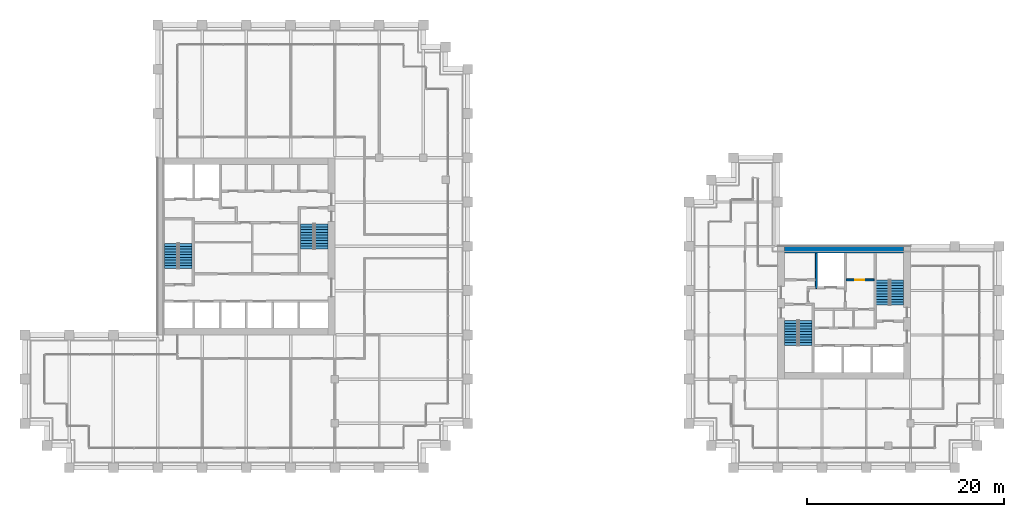
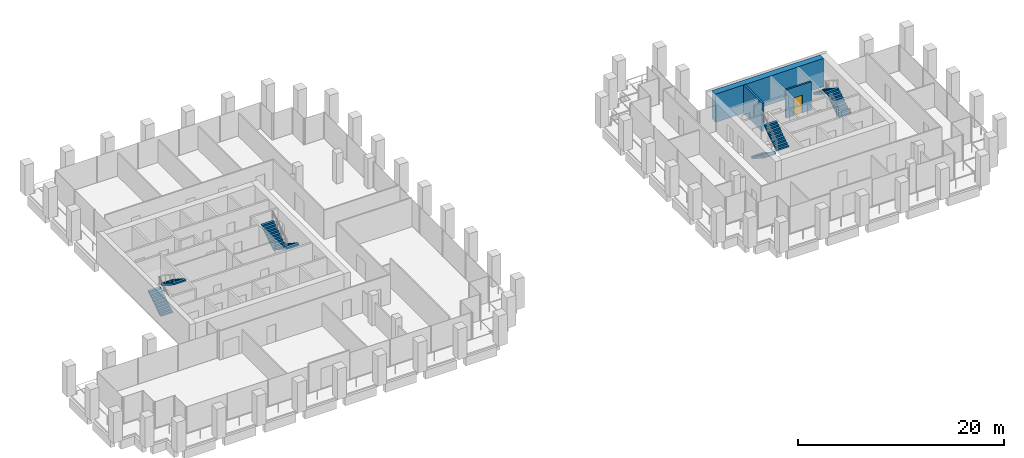
# One storey, part 44 of 46: 8 stair flights, 3 walls, 1 door, 1 opening, 4 elements without a shape of their own.
"""IFC4 building model written with IfcOpenShell, lengths in metres."""

from ifc_helpers import new_model, si_unit, direction, frame, frame_2d, origin, place, context, subcontext, project, spatial, polyline, rectangle, outline, extrude, material, layer, layer_set, type_object, element, fill, aggregate, save


model = new_model("IFC4")

# Units and contexts
model_context = context("Model", 3, precision=1e-05, world=origin(), true_north=direction((0.0, 1.0)))
body_context = subcontext(model_context, "Body", "Model", "MODEL_VIEW")
ifc_project = project(units=[si_unit("LENGTHUNIT", "METRE"), si_unit("AREAUNIT", "SQUARE_METRE"), si_unit("VOLUMEUNIT", "CUBIC_METRE"), si_unit("PLANEANGLEUNIT", "RADIAN"), si_unit("MASSUNIT", "GRAM", prefix="KILO")], contexts=[model_context])

# Site, building, storey
site_placement = place(None, origin())
site = spatial("IfcSite", under=ifc_project, at=site_placement, CompositionType="ELEMENT")
building_placement = place(site_placement, origin())
building = spatial("IfcBuilding", under=site, at=building_placement, Name="Altepetl Exchange Towers", CompositionType="ELEMENT")
storey_placement = place(building_placement, frame((0.0, 0.0, 120.800048828125)))
storey = spatial("IfcBuildingStorey", under=building, at=storey_placement, Name="L29", CompositionType="ELEMENT", Elevation=120.800048828125)

# Walls
ifc_material_1 = material(Name="Concrete C70/85", Category="concrete")
ifc_layer_1 = layer(ifc_material_1, 0.699951171875)
ifc_layer_set_1 = layer_set([ifc_layer_1], Name="Concrete C70/85")
wall_type_1 = type_object("IfcWallType", Name="Core wall 700 reinforced concrete external", PredefinedType="SHEAR", material=ifc_layer_set_1)
wall_1_placement = place(storey_placement, frame((104.199951171875, 49.14990234375, 0.0)))
element("IfcWall", 1, at=wall_1_placement, inside=storey, type_object=wall_type_1, Name="wall:B:L29:K-coreN", PredefinedType="SHEAR", context=body_context, shape_type="SweptSolid", body=[
    extrude(rectangle(XDim=12.10009765625, YDim=0.699951171875, at=frame_2d((6.050048828125, 0.0))), origin(), (0.0, 0.0, 1.0), 3.349853515625),
])
ifc_material_2 = material(Name="Concrete C40/50", Category="concrete")
ifc_layer_2 = layer(ifc_material_2, 0.199951171875)
ifc_layer_set_2 = layer_set([ifc_layer_2], Name="Concrete C40/50")
wall_type_2 = type_object("IfcWallType", Name="Shaft wall 200 reinforced concrete", PredefinedType="SHEAR", material=ifc_layer_set_2)
wall_2_placement = place(storey_placement, frame((107.433349609375, 48.800048828125, 0.0), z_axis=(0.0, 0.0, 1.0), x_axis=(0.0, -1.0, 0.0)))
element("IfcWall", 2, at=wall_2_placement, inside=storey, type_object=wall_type_2, Name="wall:B:L29:K-divN1", PredefinedType="SHEAR", context=body_context, shape_type="SweptSolid", body=[
    extrude(rectangle(XDim=3.60009765625, YDim=0.199951171875, at=frame_2d((1.800048828125, 0.0))), origin(), (0.0, 0.0, 1.0), 3.349853515625),
])

# Wall, opening, door
wall_3_placement = place(storey_placement, frame((110.466796875, 46.10009765625, 0.0)))
wall_3 = element("IfcWall", 3, at=wall_3_placement, inside=storey, type_object=wall_type_2, Name="wall:B:L29:K-frontNb", PredefinedType="SHEAR", context=body_context, shape_type="SweptSolid", body=[
    extrude(rectangle(XDim=2.833251953125, YDim=0.199951171875, at=frame_2d((1.41650390625, 0.0))), origin(), (0.0, 0.0, 1.0), 3.349853515625),
])
opening_placement = place(wall_3_placement, frame((0.91650390625, 0.0, 0.0)))
opening = element("IfcOpeningElement", 4, at=opening_placement, cuts=wall_3, Name="Opening L29.B69", PredefinedType="OPENING", context=body_context, shape_type="SweptSolid", body=[
    extrude(rectangle(XDim=0.89990234375, YDim=2.10009765625, at=frame_2d((0.449951171875, 1.050048828125))), frame((0.0, 0.10986328125, 0.0), z_axis=(0.0, -1.0, 0.0), x_axis=(1.0, 0.0, 0.0)), (0.0, 0.0, 1.0), 0.219970703125),
])
ifc_material_3 = material(Name="Steel and timber fire door", Category="steel")
door_type = type_object("IfcDoorType", Name="Fire door 900 x 2100 service room", OperationType="SINGLE_SWING_LEFT", PredefinedType="DOOR", material=ifc_material_3)
door_placement = place(opening_placement, origin())
door = element("IfcDoor", 5, at=door_placement, inside=storey, type_object=door_type, Name="door:B:L29:K-dslotN2", OperationType="SINGLE_SWING_RIGHT", OverallHeight=2.10009765625, OverallWidth=0.89990234375, PredefinedType="DOOR", context=body_context, shape_type="SweptSolid", body=[
    extrude(rectangle(XDim=0.89990234375, YDim=2.10009765625, at=frame_2d((0.449951171875, 1.050048828125))), frame((0.0, 0.02490234375, 0.0), z_axis=(0.0, -1.0, 0.0), x_axis=(1.0, 0.0, 0.0)), (0.0, 0.0, 1.0), 0.050048828125),
])
fill(opening, door)

# Stair, stair flights
stair_type = type_object("IfcStairType", Name="Exit stair 1350 flights dogleg", PredefinedType="HALF_TURN_STAIR", material=ifc_material_2)
stair_1_placement = place(storey_placement, origin())
stair_1 = element("IfcStair", 6, at=stair_1_placement, inside=storey, type_object=stair_type, Name="Exit stair 1", PredefinedType="HALF_TURN_STAIR")
stair_flight_type = type_object("IfcStairFlightType", Name="Stair flight 1350 wide", PredefinedType="STRAIGHT", material=ifc_material_2)
stair_flight_1_placement = place(storey_placement, frame((41.875, 47.25, 0.0), z_axis=(0.0, 0.0, 1.0), x_axis=(0.0, 1.0, 0.0)))
stair_flight_1 = element("IfcStairFlight", 7, at=stair_flight_1_placement, type_object=stair_flight_type, Name="ST-A1d flight 1", NumberOfRisers=10, NumberOfTreads=9, PredefinedType="STRAIGHT", RiserHeight=0.18, TreadLength=0.28, context=body_context, shape_type="SweptSolid", body=[
    extrude(outline(polyline([(0.0, 0.0), (0.0, 0.179931640625), (0.280029296875, 0.179931640625), (0.280029296875, 0.360107421875), (0.56005859375, 0.360107421875), (0.56005859375, 0.5400390625), (0.840087890625, 0.5400390625), (0.840087890625, 0.719970703125), (1.1201171875, 0.719970703125), (1.1201171875, 0.89990234375), (1.39990234375, 0.89990234375), (1.39990234375, 1.080078125), (1.679931640625, 1.080078125), (1.679931640625, 1.260009765625), (1.9599609375, 1.260009765625), (1.9599609375, 1.43994140625), (2.239990234375, 1.43994140625), (2.239990234375, 1.6201171875), (2.52001953125, 1.6201171875), (2.52001953125, 1.800048828125), (2.52001953125, 1.44189453125), (0.277099609375, 0.0), (0.0, 0.0)])), frame((0.0, 0.675048828125, 0.0), z_axis=(0.0, -1.0, 0.0), x_axis=(1.0, 0.0, 0.0)), (0.0, 0.0, 1.0), 1.35009765625),
])
stair_flight_2_placement = place(storey_placement, frame((43.324951171875, 49.77001953125, 1.800048828125), z_axis=(0.0, 0.0, 1.0), x_axis=(0.0, -1.0, 0.0)))
stair_flight_2 = element("IfcStairFlight", 8, at=stair_flight_2_placement, type_object=stair_flight_type, Name="ST-A1d flight 2", NumberOfRisers=10, NumberOfTreads=9, PredefinedType="STRAIGHT", RiserHeight=0.18, TreadLength=0.28, context=body_context, shape_type="SweptSolid", body=[
    extrude(outline(polyline([(0.0, 0.0), (0.0, 0.179931640625), (0.280029296875, 0.179931640625), (0.280029296875, 0.360107421875), (0.56005859375, 0.360107421875), (0.56005859375, 0.5400390625), (0.840087890625, 0.5400390625), (0.840087890625, 0.719970703125), (1.1201171875, 0.719970703125), (1.1201171875, 0.89990234375), (1.39990234375, 0.89990234375), (1.39990234375, 1.080078125), (1.679931640625, 1.080078125), (1.679931640625, 1.260009765625), (1.9599609375, 1.260009765625), (1.9599609375, 1.43994140625), (2.239990234375, 1.43994140625), (2.239990234375, 1.6201171875), (2.52001953125, 1.6201171875), (2.52001953125, 1.800048828125), (2.52001953125, 1.44189453125), (0.277099609375, 0.0), (0.0, 0.0)])), frame((0.0, 0.675048828125, 0.0), z_axis=(0.0, -1.0, 0.0), x_axis=(1.0, 0.0, 0.0)), (0.0, 0.0, 1.0), 1.35009765625),
])
aggregate(stair_1, [stair_flight_1, stair_flight_2])

stair_2_placement = place(storey_placement, origin())
stair_2 = element("IfcStair", 9, at=stair_2_placement, inside=storey, type_object=stair_type, Name="Exit stair 2", PredefinedType="HALF_TURN_STAIR")
stair_flight_3_placement = place(storey_placement, frame((57.125, 51.75, 0.0), z_axis=(0.0, 0.0, 1.0), x_axis=(0.0, -1.0, 0.0)))
stair_flight_3 = element("IfcStairFlight", 10, at=stair_flight_3_placement, type_object=stair_flight_type, Name="ST-A2d flight 1", NumberOfRisers=10, NumberOfTreads=9, PredefinedType="STRAIGHT", RiserHeight=0.18, TreadLength=0.28, context=body_context, shape_type="SweptSolid", body=[
    extrude(outline(polyline([(0.0, 0.0), (0.0, 0.179931640625), (0.280029296875, 0.179931640625), (0.280029296875, 0.360107421875), (0.56005859375, 0.360107421875), (0.56005859375, 0.5400390625), (0.840087890625, 0.5400390625), (0.840087890625, 0.719970703125), (1.1201171875, 0.719970703125), (1.1201171875, 0.89990234375), (1.39990234375, 0.89990234375), (1.39990234375, 1.080078125), (1.679931640625, 1.080078125), (1.679931640625, 1.260009765625), (1.9599609375, 1.260009765625), (1.9599609375, 1.43994140625), (2.239990234375, 1.43994140625), (2.239990234375, 1.6201171875), (2.52001953125, 1.6201171875), (2.52001953125, 1.800048828125), (2.52001953125, 1.44189453125), (0.277099609375, 0.0), (0.0, 0.0)])), frame((0.0, 0.675048828125, 0.0), z_axis=(0.0, -1.0, 0.0), x_axis=(1.0, 0.0, 0.0)), (0.0, 0.0, 1.0), 1.35009765625),
])
stair_flight_4_placement = place(storey_placement, frame((55.675048828125, 49.22998046875, 1.800048828125), z_axis=(0.0, 0.0, 1.0), x_axis=(0.0, 1.0, 0.0)))
stair_flight_4 = element("IfcStairFlight", 11, at=stair_flight_4_placement, type_object=stair_flight_type, Name="ST-A2d flight 2", NumberOfRisers=10, NumberOfTreads=9, PredefinedType="STRAIGHT", RiserHeight=0.18, TreadLength=0.28, context=body_context, shape_type="SweptSolid", body=[
    extrude(outline(polyline([(0.0, 0.0), (0.0, 0.179931640625), (0.280029296875, 0.179931640625), (0.280029296875, 0.360107421875), (0.56005859375, 0.360107421875), (0.56005859375, 0.5400390625), (0.840087890625, 0.5400390625), (0.840087890625, 0.719970703125), (1.1201171875, 0.719970703125), (1.1201171875, 0.89990234375), (1.39990234375, 0.89990234375), (1.39990234375, 1.080078125), (1.679931640625, 1.080078125), (1.679931640625, 1.260009765625), (1.9599609375, 1.260009765625), (1.9599609375, 1.43994140625), (2.239990234375, 1.43994140625), (2.239990234375, 1.6201171875), (2.52001953125, 1.6201171875), (2.52001953125, 1.800048828125), (2.52001953125, 1.44189453125), (0.277099609375, 0.0), (0.0, 0.0)])), frame((0.0, 0.675048828125, 0.0), z_axis=(0.0, -1.0, 0.0), x_axis=(1.0, 0.0, 0.0)), (0.0, 0.0, 1.0), 1.35009765625),
])
aggregate(stair_2, [stair_flight_3, stair_flight_4])

stair_3_placement = place(storey_placement, origin())
stair_3 = element("IfcStair", 12, at=stair_3_placement, inside=storey, type_object=stair_type, Name="Exit stair 1", PredefinedType="HALF_TURN_STAIR")
stair_flight_5_placement = place(storey_placement, frame((104.875, 41.949951171875, 0.0), z_axis=(0.0, 0.0, 1.0), x_axis=(0.0, -1.0, 0.0)))
stair_flight_5 = element("IfcStairFlight", 13, at=stair_flight_5_placement, type_object=stair_flight_type, Name="ST-B1d flight 1", NumberOfRisers=10, NumberOfTreads=9, PredefinedType="STRAIGHT", RiserHeight=0.18, TreadLength=0.28, context=body_context, shape_type="SweptSolid", body=[
    extrude(outline(polyline([(0.0, 0.0), (0.0, 0.179931640625), (0.280029296875, 0.179931640625), (0.280029296875, 0.360107421875), (0.56005859375, 0.360107421875), (0.56005859375, 0.5400390625), (0.840087890625, 0.5400390625), (0.840087890625, 0.719970703125), (1.1201171875, 0.719970703125), (1.1201171875, 0.89990234375), (1.39990234375, 0.89990234375), (1.39990234375, 1.080078125), (1.679931640625, 1.080078125), (1.679931640625, 1.260009765625), (1.9599609375, 1.260009765625), (1.9599609375, 1.43994140625), (2.239990234375, 1.43994140625), (2.239990234375, 1.6201171875), (2.52001953125, 1.6201171875), (2.52001953125, 1.800048828125), (2.52001953125, 1.44189453125), (0.277099609375, 0.0), (0.0, 0.0)])), frame((0.0, 0.675048828125, 0.0), z_axis=(0.0, -1.0, 0.0), x_axis=(1.0, 0.0, 0.0)), (0.0, 0.0, 1.0), 1.35009765625),
])
stair_flight_6_placement = place(storey_placement, frame((106.324951171875, 39.429931640625, 1.800048828125), z_axis=(0.0, 0.0, 1.0), x_axis=(0.0, 1.0, 0.0)))
stair_flight_6 = element("IfcStairFlight", 14, at=stair_flight_6_placement, type_object=stair_flight_type, Name="ST-B1d flight 2", NumberOfRisers=10, NumberOfTreads=9, PredefinedType="STRAIGHT", RiserHeight=0.18, TreadLength=0.28, context=body_context, shape_type="SweptSolid", body=[
    extrude(outline(polyline([(0.0, 0.0), (0.0, 0.179931640625), (0.280029296875, 0.179931640625), (0.280029296875, 0.360107421875), (0.56005859375, 0.360107421875), (0.56005859375, 0.5400390625), (0.840087890625, 0.5400390625), (0.840087890625, 0.719970703125), (1.1201171875, 0.719970703125), (1.1201171875, 0.89990234375), (1.39990234375, 0.89990234375), (1.39990234375, 1.080078125), (1.679931640625, 1.080078125), (1.679931640625, 1.260009765625), (1.9599609375, 1.260009765625), (1.9599609375, 1.43994140625), (2.239990234375, 1.43994140625), (2.239990234375, 1.6201171875), (2.52001953125, 1.6201171875), (2.52001953125, 1.800048828125), (2.52001953125, 1.44189453125), (0.277099609375, 0.0), (0.0, 0.0)])), frame((0.0, 0.675048828125, 0.0), z_axis=(0.0, -1.0, 0.0), x_axis=(1.0, 0.0, 0.0)), (0.0, 0.0, 1.0), 1.35009765625),
])
aggregate(stair_3, [stair_flight_5, stair_flight_6])

stair_4_placement = place(storey_placement, origin())
stair_4 = element("IfcStair", 15, at=stair_4_placement, inside=storey, type_object=stair_type, Name="Exit stair 2", PredefinedType="HALF_TURN_STAIR")
stair_flight_7_placement = place(storey_placement, frame((115.625, 43.550048828125, 0.0), z_axis=(0.0, 0.0, 1.0), x_axis=(0.0, 1.0, 0.0)))
stair_flight_7 = element("IfcStairFlight", 16, at=stair_flight_7_placement, type_object=stair_flight_type, Name="ST-B2d flight 1", NumberOfRisers=10, NumberOfTreads=9, PredefinedType="STRAIGHT", RiserHeight=0.18, TreadLength=0.28, context=body_context, shape_type="SweptSolid", body=[
    extrude(outline(polyline([(0.0, 0.0), (0.0, 0.179931640625), (0.280029296875, 0.179931640625), (0.280029296875, 0.360107421875), (0.56005859375, 0.360107421875), (0.56005859375, 0.5400390625), (0.840087890625, 0.5400390625), (0.840087890625, 0.719970703125), (1.1201171875, 0.719970703125), (1.1201171875, 0.89990234375), (1.39990234375, 0.89990234375), (1.39990234375, 1.080078125), (1.679931640625, 1.080078125), (1.679931640625, 1.260009765625), (1.9599609375, 1.260009765625), (1.9599609375, 1.43994140625), (2.239990234375, 1.43994140625), (2.239990234375, 1.6201171875), (2.52001953125, 1.6201171875), (2.52001953125, 1.800048828125), (2.52001953125, 1.44189453125), (0.277099609375, 0.0), (0.0, 0.0)])), frame((0.0, 0.675048828125, 0.0), z_axis=(0.0, -1.0, 0.0), x_axis=(1.0, 0.0, 0.0)), (0.0, 0.0, 1.0), 1.35009765625),
])
stair_flight_8_placement = place(storey_placement, frame((114.175048828125, 46.070068359375, 1.800048828125), z_axis=(0.0, 0.0, 1.0), x_axis=(0.0, -1.0, 0.0)))
stair_flight_8 = element("IfcStairFlight", 17, at=stair_flight_8_placement, type_object=stair_flight_type, Name="ST-B2d flight 2", NumberOfRisers=10, NumberOfTreads=9, PredefinedType="STRAIGHT", RiserHeight=0.18, TreadLength=0.28, context=body_context, shape_type="SweptSolid", body=[
    extrude(outline(polyline([(0.0, 0.0), (0.0, 0.179931640625), (0.280029296875, 0.179931640625), (0.280029296875, 0.360107421875), (0.56005859375, 0.360107421875), (0.56005859375, 0.5400390625), (0.840087890625, 0.5400390625), (0.840087890625, 0.719970703125), (1.1201171875, 0.719970703125), (1.1201171875, 0.89990234375), (1.39990234375, 0.89990234375), (1.39990234375, 1.080078125), (1.679931640625, 1.080078125), (1.679931640625, 1.260009765625), (1.9599609375, 1.260009765625), (1.9599609375, 1.43994140625), (2.239990234375, 1.43994140625), (2.239990234375, 1.6201171875), (2.52001953125, 1.6201171875), (2.52001953125, 1.800048828125), (2.52001953125, 1.44189453125), (0.277099609375, 0.0), (0.0, 0.0)])), frame((0.0, 0.675048828125, 0.0), z_axis=(0.0, -1.0, 0.0), x_axis=(1.0, 0.0, 0.0)), (0.0, 0.0, 1.0), 1.35009765625),
])
aggregate(stair_4, [stair_flight_7, stair_flight_8])

save(model, "model.ifc")
